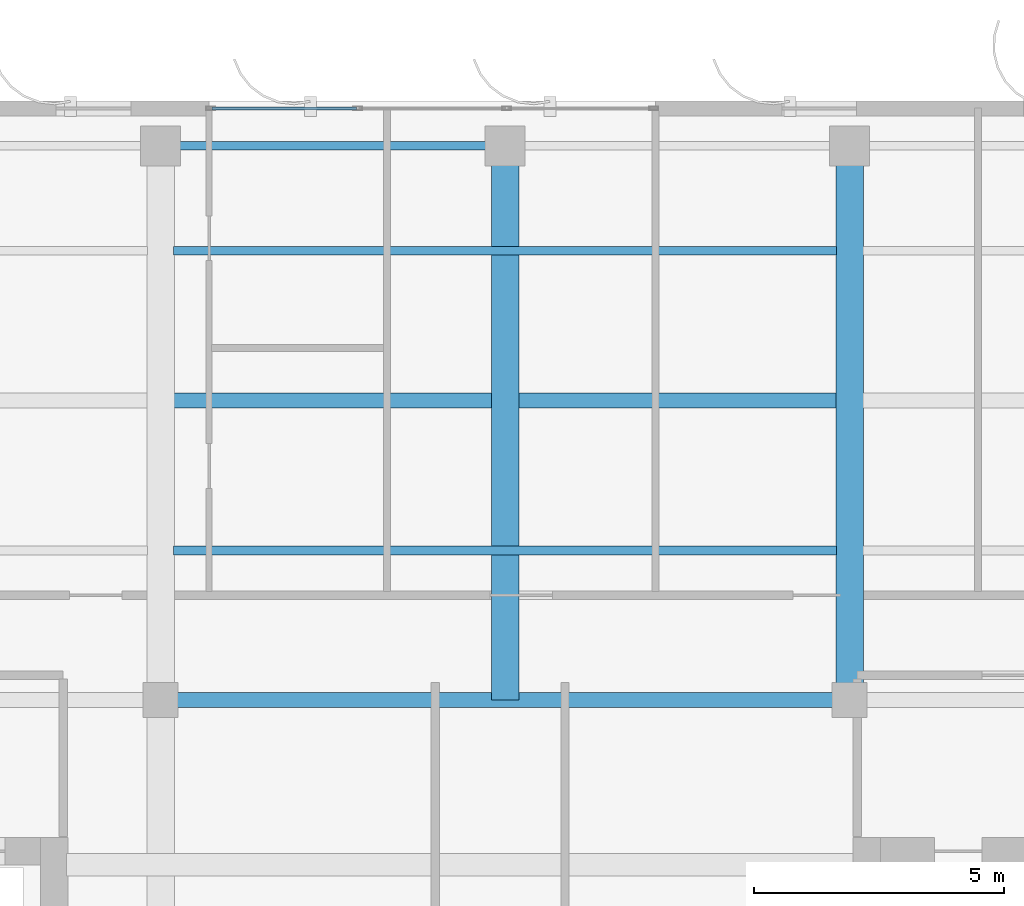
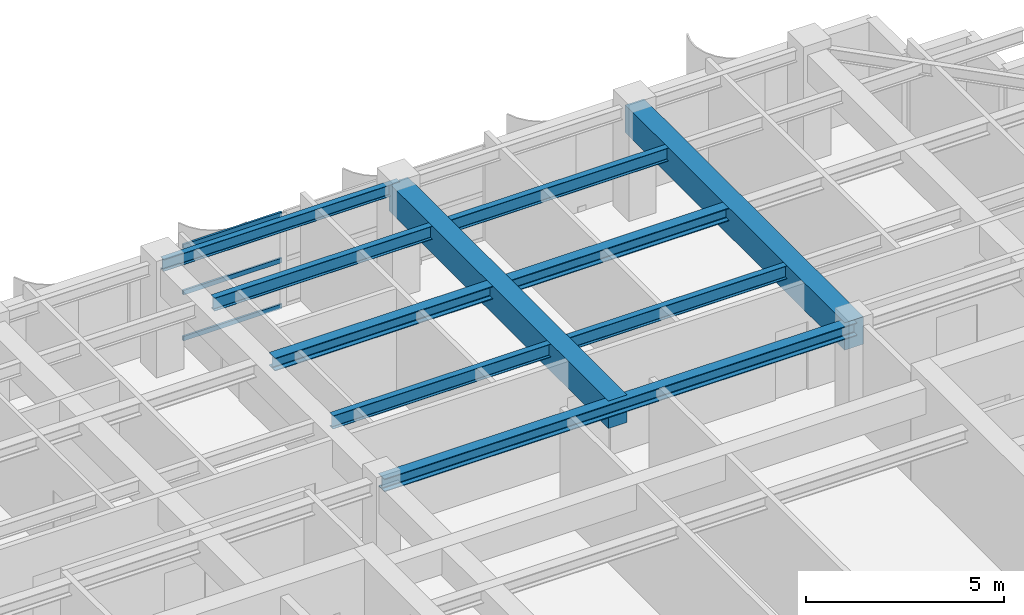
# One storey, part 11 of 19: 7 beams, 3 members, 1 element without a shape of its own.
"""IFC4 building model written with IfcOpenShell, lengths in metres."""

from ifc_helpers import new_model, si_unit, direction, frame, origin, origin_2d, place, context, subcontext, project, spatial, rectangle, hollow_rectangle, i_section, extrude, source, transform, mapped, material, layer, layer_set, material_profile, profile_set, type_object, element, aggregate, save


model = new_model("IFC4")

# Units and contexts
model_context = context("Model", 3, precision=1e-05, world=origin(), true_north=direction((0.0, 1.0)))
body_context = subcontext(model_context, "Body", "Model", "MODEL_VIEW")
ifc_project = project(units=[si_unit("LENGTHUNIT", "METRE"), si_unit("AREAUNIT", "SQUARE_METRE"), si_unit("VOLUMEUNIT", "CUBIC_METRE"), si_unit("PLANEANGLEUNIT", "RADIAN"), si_unit("MASSUNIT", "GRAM", prefix="KILO")], contexts=[model_context])

# Site, building, storey
site_placement = place(None, origin())
site = spatial("IfcSite", under=ifc_project, at=site_placement, CompositionType="ELEMENT")
building_placement = place(site_placement, origin())
building = spatial("IfcBuilding", under=site, at=building_placement, Name="Khoralis Quay Care Tower", CompositionType="ELEMENT")
storey_placement = place(building_placement, frame((0.0, 0.0, 281.699951171875)))
storey = spatial("IfcBuildingStorey", under=building, at=storey_placement, Name="L74", CompositionType="ELEMENT", Elevation=281.699951171875)

# Beams
ifc_material_1 = material(Name="Concrete C50/60", Category="concrete")
ifc_material_profile_1 = material_profile(ifc_material_1, rectangle(XDim=0.550048828125, YDim=0.85009765625, at=origin_2d()), Name="Concrete C50/60")
ifc_profile_set_1 = profile_set([ifc_material_profile_1], Name="Concrete C50/60")
beam_type_1 = type_object("IfcBeamType", Name="BM-RC550X850", PredefinedType="BEAM", material=ifc_profile_set_1)
shared_shape_1 = source(origin(), body_context, "Body", "SweptSolid", [
    extrude(rectangle(XDim=0.550048828125, YDim=0.85009765625, at=origin_2d()), origin(), (0.0, 0.0, 1.0), 11.10009765625),
])
for number, where, z_axis, x_axis, name in (
    (1, (24.0, 30.0, 2.89501953125), (0.0, 1.0, 0.0), (-1.0, 0.0, 0.0), "BM-TGYN-L74-240"),
    (2, (30.89990234375, 30.0, 2.89501953125), (0.0, 1.0, 0.0), (-1.0, 0.0, 0.0), "BM-TGYN-L74-309"),
):
    element("IfcBeam", number, at=place(storey_placement, frame(where, z_axis=z_axis, x_axis=x_axis)), inside=storey, type_object=beam_type_1, Name=name, PredefinedType="BEAM", context=body_context, shape_type="MappedRepresentation", body=[
        mapped(shared_shape_1, transform((0.0, 0.0, 0.0), scale=1.0)),
    ])
ifc_material_2 = material(Name="Steel S355", Category="steel")
ifc_material_profile_2 = material_profile(ifc_material_2, i_section(OverallWidth=0.169921875, OverallDepth=0.360107421875, WebThickness=0.008056640625, FlangeThickness=0.0126953125, FilletRadius=0.01806640625, at=origin_2d()), Name="Steel S355")
ifc_profile_set_2 = profile_set([ifc_material_profile_2], Name="Steel S355")
beam_type_2 = type_object("IfcBeamType", Name="BM-IPE360", PredefinedType="SPANDREL", material=ifc_profile_set_2)
shared_shape_2 = source(origin(), body_context, "Body", "SweptSolid", [
    extrude(i_section(OverallWidth=0.169921875, OverallDepth=0.360107421875, WebThickness=0.008056640625, FlangeThickness=0.0126953125, FilletRadius=0.01806640625, at=origin_2d()), origin(), (0.0, 0.0, 1.0), 6.89990234375),
])
beam_1_placement = place(storey_placement, frame((17.10009765625, 41.10009765625, 3.14013671875), z_axis=(1.0, 0.0, 0.0), x_axis=(0.0, 1.0, 0.0)))
element("IfcBeam", 3, at=beam_1_placement, inside=storey, type_object=beam_type_2, Name="BM-TSP-L74-06", PredefinedType="SPANDREL", context=body_context, shape_type="MappedRepresentation", body=[
    mapped(shared_shape_2, transform((0.0, 0.0, 0.0), scale=1.0)),
])
ifc_material_profile_3 = material_profile(ifc_material_2, i_section(OverallWidth=0.300048828125, OverallDepth=0.39990234375, WebThickness=0.013427734375, FlangeThickness=0.02392578125, FilletRadius=0.027099609375, at=origin_2d()), Name="Steel S355")
ifc_profile_set_3 = profile_set([ifc_material_profile_3], Name="Steel S355")
beam_type_3 = type_object("IfcBeamType", Name="BM-HEB400", PredefinedType="BEAM", material=ifc_profile_set_3)
shared_shape_3 = source(origin(), body_context, "Body", "SweptSolid", [
    extrude(i_section(OverallWidth=0.300048828125, OverallDepth=0.39990234375, WebThickness=0.013427734375, FlangeThickness=0.02392578125, FilletRadius=0.027099609375, at=origin_2d()), origin(), (0.0, 0.0, 1.0), 13.7998046875),
])
beam_2_placement = place(storey_placement, frame((17.10009765625, 30.0, 3.1201171875), z_axis=(1.0, 0.0, 0.0), x_axis=(0.0, 1.0, 0.0)))
element("IfcBeam", 4, at=beam_2_placement, inside=storey, type_object=beam_type_3, Name="BM-TGCC-L74-300", PredefinedType="BEAM", context=body_context, shape_type="MappedRepresentation", body=[
    mapped(shared_shape_3, transform((0.0, 0.0, 0.0), scale=1.0)),
])
shared_shape_4 = source(origin(), body_context, "Body", "SweptSolid", [
    extrude(i_section(OverallWidth=0.300048828125, OverallDepth=0.39990234375, WebThickness=0.013427734375, FlangeThickness=0.02392578125, FilletRadius=0.027099609375, at=origin_2d()), origin(), (0.0, 0.0, 1.0), 13.27392578125),
])
beam_3_placement = place(storey_placement, frame((17.363037109375, 36.0, 3.1201171875), z_axis=(1.0, 0.0, 0.0), x_axis=(0.0, 1.0, 0.0)))
element("IfcBeam", 5, at=beam_3_placement, inside=storey, type_object=beam_type_3, Name="BM-TGCC-L74-360", PredefinedType="BEAM", context=body_context, shape_type="MappedRepresentation", body=[
    mapped(shared_shape_4, transform((0.0, 0.0, 0.0), scale=1.0)),
])
ifc_material_profile_4 = material_profile(ifc_material_2, i_section(OverallWidth=0.177978515625, OverallDepth=0.406982421875, WebThickness=0.0078125, FlangeThickness=0.0126953125, FilletRadius=0.012939453125, at=origin_2d()), Name="Steel S355")
ifc_profile_set_4 = profile_set([ifc_material_profile_4], Name="Steel S355")
beam_type_4 = type_object("IfcBeamType", Name="BM-W410X60", PredefinedType="JOIST", material=ifc_profile_set_4)
shared_shape_5 = source(origin(), body_context, "Body", "SweptSolid", [
    extrude(i_section(OverallWidth=0.177978515625, OverallDepth=0.406982421875, WebThickness=0.0078125, FlangeThickness=0.0126953125, FilletRadius=0.012939453125, at=origin_2d()), origin(), (0.0, 0.0, 1.0), 13.27392578125),
])
for number, where, z_axis, x_axis, name in (
    (6, (17.363037109375, 33.0, 3.116455078125), (1.0, 0.0, 0.0), (0.0, 1.0, 0.0), "BM-TJS-L74-26"),
    (7, (17.363037109375, 39.0, 3.116455078125), (1.0, 0.0, 0.0), (0.0, 1.0, 0.0), "BM-TJS-L74-29"),
):
    element("IfcBeam", number, at=place(storey_placement, frame(where, z_axis=z_axis, x_axis=x_axis)), inside=storey, type_object=beam_type_4, Name=name, PredefinedType="JOIST", context=body_context, shape_type="MappedRepresentation", body=[
        mapped(shared_shape_5, transform((0.0, 0.0, 0.0), scale=1.0)),
    ])

# Curtain wall, members
ifc_material_3 = material(Name="Pale anodised aluminium", Category="aluminium")
ifc_layer = layer(ifc_material_3, 0.159912109375)
ifc_layer_set = layer_set([ifc_layer], Name="Pale anodised aluminium")
curtain_wall_type = type_object("IfcCurtainWallType", Name="CW-SYS-Z3", PredefinedType="NOTDEFINED", material=ifc_layer_set)
curtain_wall_placement = place(storey_placement, origin())
curtain_wall = element("IfcCurtainWall", 8, at=curtain_wall_placement, inside=storey, type_object=curtain_wall_type, Name="L74 Unitised Curtain Wall CW-L74-P1-E10", PredefinedType="NOTDEFINED")
ifc_material_profile_5 = material_profile(ifc_material_3, hollow_rectangle(XDim=0.06005859375, YDim=0.139892578125, WallThickness=0.00390625, at=origin_2d()), Name="Pale anodised aluminium")
ifc_profile_set_5 = profile_set([ifc_material_profile_5], Name="Pale anodised aluminium")
member_type = type_object("IfcMemberType", Name="CW-TRN-140", PredefinedType="USERDEFINED", material=ifc_profile_set_5)
shared_shape_6 = source(origin(), body_context, "Body", "SweptSolid", [
    extrude(hollow_rectangle(XDim=0.06005859375, YDim=0.139892578125, WallThickness=0.00390625, at=origin_2d()), origin(), (0.0, 0.0, 1.0), 2.89013671875),
])
member_1_placement = place(storey_placement, frame((21.02001953125, 41.85009765625, 0.030029296875), z_axis=(-1.0, 0.0, 0.0), x_axis=(0.0, -1.0, 0.0)))
member_1 = element("IfcMember", 9, at=member_1_placement, type_object=member_type, Name="CW3 transom 3.1", ObjectType="TRANSOM", PredefinedType="USERDEFINED", context=body_context, shape_type="MappedRepresentation", body=[
    mapped(shared_shape_6, transform((0.0, 0.0, 0.0), scale=1.0)),
])
member_2_placement = place(storey_placement, frame((21.02001953125, 41.85009765625, 1.449951171875), z_axis=(-1.0, 0.0, 0.0), x_axis=(0.0, -1.0, 0.0)))
member_2 = element("IfcMember", 10, at=member_2_placement, type_object=member_type, Name="CW3 transom 3.2", ObjectType="TRANSOM", PredefinedType="USERDEFINED", context=body_context, shape_type="MappedRepresentation", body=[
    mapped(shared_shape_6, transform((0.0, 0.0, 0.0), scale=1.0)),
])
member_3_placement = place(storey_placement, frame((21.02001953125, 41.85009765625, 2.8701171875), z_axis=(-1.0, 0.0, 0.0), x_axis=(0.0, -1.0, 0.0)))
member_3 = element("IfcMember", 11, at=member_3_placement, type_object=member_type, Name="CW3 transom 3.3", ObjectType="TRANSOM", PredefinedType="USERDEFINED", context=body_context, shape_type="MappedRepresentation", body=[
    mapped(shared_shape_6, transform((0.0, 0.0, 0.0), scale=1.0)),
])
aggregate(curtain_wall, [member_1, member_2, member_3])

save(model, "model.ifc")
